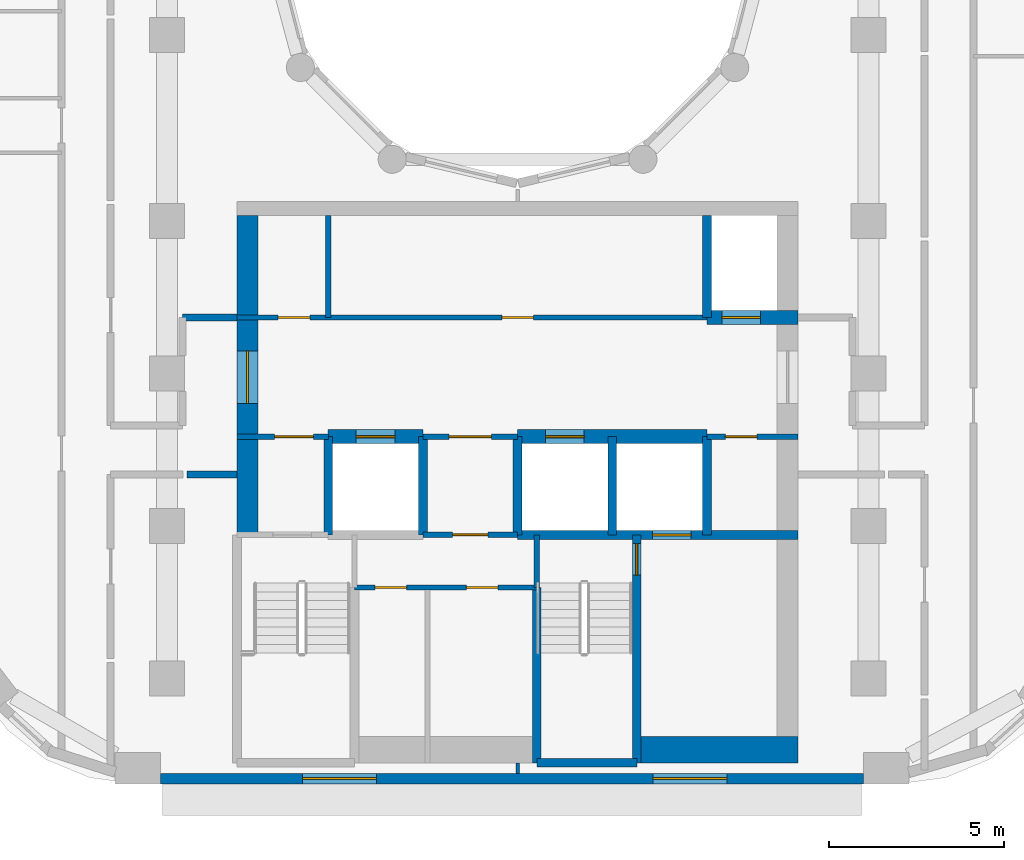
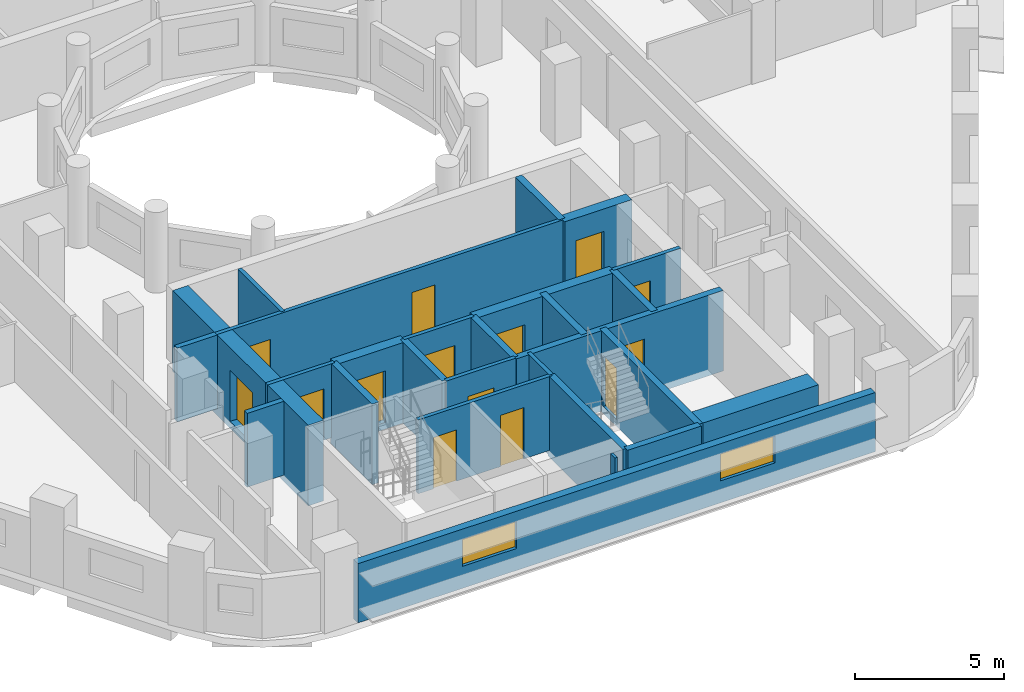
# One storey, part 3 of 13: 27 walls, 14 doors, 2 windows, 16 openings.
"""IFC4 building model written with IfcOpenShell, lengths in metres."""

from ifc_helpers import new_model, si_unit, direction, frame, frame_2d, origin, place, context, subcontext, project, spatial, rectangle, extrude, material, layer, layer_set, type_object, element, fill, save


model = new_model("IFC4")

# Units and contexts
model_context = context("Model", 3, precision=1e-05, world=origin(), true_north=direction((0.0, 1.0)))
body_context = subcontext(model_context, "Body", "Model", "MODEL_VIEW")
ifc_project = project(units=[si_unit("LENGTHUNIT", "METRE"), si_unit("AREAUNIT", "SQUARE_METRE"), si_unit("VOLUMEUNIT", "CUBIC_METRE"), si_unit("PLANEANGLEUNIT", "RADIAN"), si_unit("MASSUNIT", "GRAM", prefix="KILO")], contexts=[model_context])

# Site, building, storey
site_placement = place(None, origin())
site = spatial("IfcSite", under=ifc_project, at=site_placement, CompositionType="ELEMENT")
building_placement = place(site_placement, origin())
building = spatial("IfcBuilding", under=site, at=building_placement, Name="Nakaniwa Court", CompositionType="ELEMENT")
storey_placement = place(building_placement, frame((0.0, 0.0, 133.800048828125)))
storey = spatial("IfcBuildingStorey", under=building, at=storey_placement, Name="L34", CompositionType="ELEMENT", Elevation=133.800048828125)

# Walls
ifc_material_1 = material(Name="Acoustic double stud partition")
ifc_layer_1 = layer(ifc_material_1, 0.199951171875)
ifc_layer_set_1 = layer_set([ifc_layer_1], Name="Acoustic double stud partition")
wall_type_1 = type_object("IfcWallType", Name="Acoustic double stud partition 200", PredefinedType="PARTITIONING", material=ifc_layer_set_1)
wall_1_placement = place(storey_placement, frame((70.5771484375, 64.824951171875, 0.0), z_axis=(0.0, 0.0, 1.0), x_axis=(1.0, 0.0, 0.0)))
element("IfcWall", 1, at=wall_1_placement, inside=storey, type_object=wall_type_1, Name="Partition PW-074", PredefinedType="PARTITIONING", context=body_context, shape_type="SweptSolid", body=[
    extrude(rectangle(XDim=1.4228515625, YDim=0.199951171875, at=frame_2d((0.71142578125, 0.0))), origin(), (0.0, 0.0, 1.0), 3.02490234375),
])
wall_2_placement = place(storey_placement, frame((70.449951171875, 69.300048828125, 0.0), z_axis=(0.0, 0.0, 1.0), x_axis=(1.0, 0.0, 0.0)))
element("IfcWall", 2, at=wall_2_placement, inside=storey, type_object=wall_type_1, Name="Partition PW-078", PredefinedType="PARTITIONING", context=body_context, shape_type="SweptSolid", body=[
    extrude(rectangle(XDim=1.550048828125, YDim=0.199951171875, at=frame_2d((0.77490234375, 0.0))), origin(), (0.0, 0.0, 1.0), 3.02490234375),
])

# Wall, openings, windows
ifc_material_2 = material(Name="Charcoal ceramic cladding")
ifc_layer_2 = layer(ifc_material_2, 0.02, Name="Ceramic cladding")
ifc_material_3 = material(Name="Ventilated air cavity")
ifc_layer_3 = layer(ifc_material_3, 0.04, ventilated=True, Name="Ventilated cavity")
ifc_material_4 = material(Name="Mineral wool insulation")
ifc_layer_4 = layer(ifc_material_4, 0.1, Name="Insulation")
ifc_material_5 = material(Name="Cement bonded sheathing board")
ifc_layer_5 = layer(ifc_material_5, 0.012, Name="Sheathing")
ifc_material_6 = material(Name="Cold-formed galvanised stud frame with mineral wool infill")
ifc_layer_6 = layer(ifc_material_6, 0.1, Name="Stud frame")
ifc_material_7 = material(Name="Fire-rated gypsum plasterboard lining")
ifc_layer_7 = layer(ifc_material_7, 0.028, Name="Lining")
ifc_layer_set_2 = layer_set([ifc_layer_2, ifc_layer_3, ifc_layer_4, ifc_layer_5, ifc_layer_6, ifc_layer_7], Name="Charcoal ceramic faced external wall system")
wall_type_2 = type_object("IfcWallType", Name="Black ceramic faced external wall 300", PredefinedType="SOLIDWALL", material=ifc_layer_set_2)
wall_3_placement = place(storey_placement, frame((69.8212890625, 56.14990234375, 0.0), z_axis=(0.0, 0.0, 1.0), x_axis=(1.0, 0.0, 0.0)))
wall_3 = element("IfcWall", 3, at=wall_3_placement, inside=storey, type_object=wall_type_2, Name="L34 external wall 26", PredefinedType="SOLIDWALL", context=body_context, shape_type="SweptSolid", body=[
    extrude(rectangle(XDim=20.039794921875, YDim=0.300048828125, at=frame_2d((10.02001953125, 0.0))), origin(), (0.0, 0.0, 1.0), 2.425048828125),
])
opening_1_placement = place(wall_3_placement, frame((4.05126953125, 0.0, 0.89990234375)))
opening_1 = element("IfcOpeningElement", 4, at=opening_1_placement, cuts=wall_3, Name="Opening W7.27", PredefinedType="OPENING", context=body_context, shape_type="SweptSolid", body=[
    extrude(rectangle(XDim=2.10009765625, YDim=1.10009765625, at=frame_2d((1.050048828125, 0.550048828125))), frame((0.0, 0.159912109375, 0.0), z_axis=(0.0, -1.0, 0.0), x_axis=(1.0, 0.0, 0.0)), (0.0, 0.0, 1.0), 0.320068359375),
])
opening_2_placement = place(wall_3_placement, frame((14.047119140625, 0.0, 0.89990234375)))
opening_2 = element("IfcOpeningElement", 5, at=opening_2_placement, cuts=wall_3, Name="Opening W7.28", PredefinedType="OPENING", context=body_context, shape_type="SweptSolid", body=[
    extrude(rectangle(XDim=2.10009765625, YDim=1.10009765625, at=frame_2d((1.050048828125, 0.550048828125))), frame((0.0, 0.159912109375, 0.0), z_axis=(0.0, -1.0, 0.0), x_axis=(1.0, 0.0, 0.0)), (0.0, 0.0, 1.0), 0.320068359375),
])
ifc_material_8 = material(Name="Black anodised aluminium frame with dark low-E laminated double glazing", Category="aluminium")
window_type = type_object("IfcWindowType", Name="Dark glass window 2100x1100 sill 900", PartitioningType="SINGLE_PANEL", PredefinedType="WINDOW", material=ifc_material_8)
window_1_placement = place(opening_1_placement, origin())
window_1 = element("IfcWindow", 6, at=window_1_placement, inside=storey, type_object=window_type, Name="L34 habitable room window 26-0", OverallHeight=1.10009765625, OverallWidth=2.10009765625, PartitioningType="SINGLE_PANEL", PredefinedType="WINDOW", context=body_context, shape_type="SweptSolid", body=[
    extrude(rectangle(XDim=2.10009765625, YDim=1.10009765625, at=frame_2d((1.050048828125, 0.550048828125))), frame((0.0, 0.030029296875, 0.0), z_axis=(0.0, -1.0, 0.0), x_axis=(1.0, 0.0, 0.0)), (0.0, 0.0, 1.0), 0.06005859375),
])
fill(opening_1, window_1)
window_2_placement = place(opening_2_placement, origin())
window_2 = element("IfcWindow", 7, at=window_2_placement, inside=storey, type_object=window_type, Name="L34 habitable room window 26-1", OverallHeight=1.10009765625, OverallWidth=2.10009765625, PartitioningType="SINGLE_PANEL", PredefinedType="WINDOW", context=body_context, shape_type="SweptSolid", body=[
    extrude(rectangle(XDim=2.10009765625, YDim=1.10009765625, at=frame_2d((1.050048828125, 0.550048828125))), frame((0.0, 0.030029296875, 0.0), z_axis=(0.0, -1.0, 0.0), x_axis=(1.0, 0.0, 0.0)), (0.0, 0.0, 1.0), 0.06005859375),
])
fill(opening_2, window_2)

# Wall
ifc_material_9 = material(Name="Blockwork partition", Category="masonry")
ifc_layer_8 = layer(ifc_material_9, 0.14990234375)
ifc_layer_set_3 = layer_set([ifc_layer_8], Name="Blockwork partition")
wall_type_3 = type_object("IfcWallType", Name="Blockwork partition 150", PredefinedType="PARTITIONING", material=ifc_layer_set_3)
wall_4_placement = place(storey_placement, frame((74.60009765625, 69.300048828125, 0.0), z_axis=(0.0, 0.0, 1.0), x_axis=(0.0, 1.0, 0.0)))
element("IfcWall", 8, at=wall_4_placement, inside=storey, type_object=wall_type_3, Name="Partition PW-033", PredefinedType="PARTITIONING", context=body_context, shape_type="SweptSolid", body=[
    extrude(rectangle(XDim=2.89990234375, YDim=0.14990234375, at=frame_2d((1.449951171875, 0.0))), origin(), (0.0, 0.0, 1.0), 3.02490234375),
])

# Wall, openings, doors
wall_5_placement = place(storey_placement, frame((72.0, 69.300048828125, 0.0), z_axis=(0.0, 0.0, 1.0), x_axis=(1.0, 0.0, 0.0)))
wall_5 = element("IfcWall", 9, at=wall_5_placement, inside=storey, type_object=wall_type_3, Name="Partition PW-034", PredefinedType="PARTITIONING", context=body_context, shape_type="SweptSolid", body=[
    extrude(rectangle(XDim=13.39990234375, YDim=0.14990234375, at=frame_2d((6.699951171875, 0.0))), origin(), (0.0, 0.0, 1.0), 3.02490234375),
])
opening_3_placement = place(wall_5_placement, frame((1.175048828125, 0.0, 0.0)))
opening_3 = element("IfcOpeningElement", 10, at=opening_3_placement, cuts=wall_5, Name="Opening D-05-06", PredefinedType="OPENING", context=body_context, shape_type="SweptSolid", body=[
    extrude(rectangle(XDim=0.89990234375, YDim=2.10009765625, at=frame_2d((0.449951171875, 1.050048828125))), frame((0.0, 0.0849609375, 0.0), z_axis=(0.0, -1.0, 0.0), x_axis=(1.0, 0.0, 0.0)), (0.0, 0.0, 1.0), 0.169921875),
])
opening_4_placement = place(wall_5_placement, frame((7.550048828125, 0.0, 0.0)))
opening_4 = element("IfcOpeningElement", 11, at=opening_4_placement, cuts=wall_5, Name="Opening D-05-07", PredefinedType="OPENING", context=body_context, shape_type="SweptSolid", body=[
    extrude(rectangle(XDim=0.89990234375, YDim=2.10009765625, at=frame_2d((0.449951171875, 1.050048828125))), frame((0.0, 0.0849609375, 0.0), z_axis=(0.0, -1.0, 0.0), x_axis=(1.0, 0.0, 0.0)), (0.0, 0.0, 1.0), 0.169921875),
])
ifc_material_10 = material(Name="Fire rated steel door set", Category="steel")
door_type_1 = type_object("IfcDoorType", Name="Service room door 900", OperationType="NOTDEFINED", PredefinedType="DOOR", material=ifc_material_10)
door_1_placement = place(opening_3_placement, origin())
door_1 = element("IfcDoor", 12, at=door_1_placement, inside=storey, type_object=door_type_1, Name="Door D-05-06 L34-011", OperationType="SINGLE_SWING_RIGHT", OverallHeight=2.10009765625, OverallWidth=0.89990234375, PredefinedType="DOOR", context=body_context, shape_type="SweptSolid", body=[
    extrude(rectangle(XDim=0.89990234375, YDim=2.10009765625, at=frame_2d((0.449951171875, 1.050048828125))), frame((0.0, 0.02490234375, 0.0), z_axis=(0.0, -1.0, 0.0), x_axis=(1.0, 0.0, 0.0)), (0.0, 0.0, 1.0), 0.050048828125),
])
fill(opening_3, door_1)
door_2_placement = place(opening_4_placement, origin())
door_2 = element("IfcDoor", 13, at=door_2_placement, inside=storey, type_object=door_type_1, Name="Door D-05-07 L34-012", OperationType="SINGLE_SWING_LEFT", OverallHeight=2.10009765625, OverallWidth=0.89990234375, PredefinedType="DOOR", context=body_context, shape_type="SweptSolid", body=[
    extrude(rectangle(XDim=0.89990234375, YDim=2.10009765625, at=frame_2d((0.449951171875, 1.050048828125))), frame((0.0, 0.02490234375, 0.0), z_axis=(0.0, -1.0, 0.0), x_axis=(1.0, 0.0, 0.0)), (0.0, 0.0, 1.0), 0.050048828125),
])
fill(opening_4, door_2)

# Wall, opening, door
wall_6_placement = place(storey_placement, frame((74.60302734375, 65.89990234375, 0.0), z_axis=(0.0, 0.0, 1.0), x_axis=(-1.0, 0.0, 0.0)))
wall_6 = element("IfcWall", 14, at=wall_6_placement, inside=storey, type_object=wall_type_3, Name="Partition PW-040", PredefinedType="PARTITIONING", context=body_context, shape_type="SweptSolid", body=[
    extrude(rectangle(XDim=2.60302734375, YDim=0.14990234375, at=frame_2d((1.301513671875, 0.0))), origin(), (0.0, 0.0, 1.0), 3.02490234375),
])
opening_5_placement = place(wall_6_placement, frame((0.427978515625, 0.0, 0.0)))
opening_5 = element("IfcOpeningElement", 15, at=opening_5_placement, cuts=wall_6, Name="Opening D-08-02", PredefinedType="OPENING", context=body_context, shape_type="SweptSolid", body=[
    extrude(rectangle(XDim=1.10009765625, YDim=2.10009765625, at=frame_2d((0.550048828125, 1.050048828125))), frame((0.0, 0.0849609375, 0.0), z_axis=(0.0, -1.0, 0.0), x_axis=(1.0, 0.0, 0.0)), (0.0, 0.0, 1.0), 0.169921875),
])
door_type_2 = type_object("IfcDoorType", Name="Stair lobby door 1100", OperationType="NOTDEFINED", PredefinedType="DOOR", material=ifc_material_10)
door_3_placement = place(opening_5_placement, origin())
door_3 = element("IfcDoor", 16, at=door_3_placement, inside=storey, type_object=door_type_2, Name="Door D-08-02 L34-013", OperationType="SINGLE_SWING_RIGHT", OverallHeight=2.10009765625, OverallWidth=1.10009765625, PredefinedType="DOOR", context=body_context, shape_type="SweptSolid", body=[
    extrude(rectangle(XDim=1.10009765625, YDim=2.10009765625, at=frame_2d((0.550048828125, 1.050048828125))), frame((0.0, 0.02490234375, 0.0), z_axis=(0.0, -1.0, 0.0), x_axis=(1.0, 0.0, 0.0)), (0.0, 0.0, 1.0), 0.050048828125),
])
fill(opening_5, door_3)

wall_7_placement = place(storey_placement, frame((80.0029296875, 65.89990234375, 0.0), z_axis=(0.0, 0.0, 1.0), x_axis=(-1.0, 0.0, 0.0)))
wall_7 = element("IfcWall", 17, at=wall_7_placement, inside=storey, type_object=wall_type_3, Name="Partition PW-041", PredefinedType="PARTITIONING", context=body_context, shape_type="SweptSolid", body=[
    extrude(rectangle(XDim=2.705810546875, YDim=0.14990234375, at=frame_2d((1.35302734375, 0.0))), origin(), (0.0, 0.0, 1.0), 3.02490234375),
])
opening_6_placement = place(wall_7_placement, frame((0.7529296875, 0.0, 0.0)))
opening_6 = element("IfcOpeningElement", 18, at=opening_6_placement, cuts=wall_7, Name="Opening D-06-02", PredefinedType="OPENING", context=body_context, shape_type="SweptSolid", body=[
    extrude(rectangle(XDim=1.199951171875, YDim=2.10009765625, at=frame_2d((0.60009765625, 1.050048828125))), frame((0.0, 0.0849609375, 0.0), z_axis=(0.0, -1.0, 0.0), x_axis=(1.0, 0.0, 0.0)), (0.0, 0.0, 1.0), 0.169921875),
])
ifc_material_11 = material(Name="Fire rated steel double door set", Category="steel")
door_type_3 = type_object("IfcDoorType", Name="Service passage double door 1200", OperationType="NOTDEFINED", PredefinedType="DOOR", material=ifc_material_11)
door_4_placement = place(opening_6_placement, origin())
door_4 = element("IfcDoor", 19, at=door_4_placement, inside=storey, type_object=door_type_3, Name="Door D-06-02 L34-014", OperationType="DOUBLE_DOOR_SINGLE_SWING", OverallHeight=2.10009765625, OverallWidth=1.199951171875, PredefinedType="DOOR", context=body_context, shape_type="SweptSolid", body=[
    extrude(rectangle(XDim=1.199951171875, YDim=2.10009765625, at=frame_2d((0.60009765625, 1.050048828125))), frame((0.0, 0.02490234375, 0.0), z_axis=(0.0, -1.0, 0.0), x_axis=(1.0, 0.0, 0.0)), (0.0, 0.0, 1.0), 0.050048828125),
])
fill(opening_6, door_4)

wall_8_placement = place(storey_placement, frame((88.0, 65.89990234375, 0.0), z_axis=(0.0, 0.0, 1.0), x_axis=(-1.0, 0.0, 0.0)))
wall_8 = element("IfcWall", 20, at=wall_8_placement, inside=storey, type_object=wall_type_3, Name="Partition PW-042", PredefinedType="PARTITIONING", context=body_context, shape_type="SweptSolid", body=[
    extrude(rectangle(XDim=2.60302734375, YDim=0.14990234375, at=frame_2d((1.301513671875, 0.0))), origin(), (0.0, 0.0, 1.0), 3.02490234375),
])
opening_7_placement = place(wall_8_placement, frame((1.175048828125, 0.0, 0.0)))
opening_7 = element("IfcOpeningElement", 21, at=opening_7_placement, cuts=wall_8, Name="Opening D-05-08", PredefinedType="OPENING", context=body_context, shape_type="SweptSolid", body=[
    extrude(rectangle(XDim=0.89990234375, YDim=2.10009765625, at=frame_2d((0.449951171875, 1.050048828125))), frame((0.0, 0.0849609375, 0.0), z_axis=(0.0, -1.0, 0.0), x_axis=(1.0, 0.0, 0.0)), (0.0, 0.0, 1.0), 0.169921875),
])
door_5_placement = place(opening_7_placement, origin())
door_5 = element("IfcDoor", 22, at=door_5_placement, inside=storey, type_object=door_type_1, Name="Door D-05-08 L34-015", OperationType="SINGLE_SWING_RIGHT", OverallHeight=2.10009765625, OverallWidth=0.89990234375, PredefinedType="DOOR", context=body_context, shape_type="SweptSolid", body=[
    extrude(rectangle(XDim=0.89990234375, YDim=2.10009765625, at=frame_2d((0.449951171875, 1.050048828125))), frame((0.0, 0.02490234375, 0.0), z_axis=(0.0, -1.0, 0.0), x_axis=(1.0, 0.0, 0.0)), (0.0, 0.0, 1.0), 0.050048828125),
])
fill(opening_7, door_5)

wall_9_placement = place(storey_placement, frame((80.0, 63.10009765625, 0.0), z_axis=(0.0, 0.0, 1.0), x_axis=(-1.0, 0.0, 0.0)))
wall_9 = element("IfcWall", 23, at=wall_9_placement, inside=storey, type_object=wall_type_3, Name="Partition PW-051", PredefinedType="PARTITIONING", context=body_context, shape_type="SweptSolid", body=[
    extrude(rectangle(XDim=2.699951171875, YDim=0.14990234375, at=frame_2d((1.35009765625, 0.0))), origin(), (0.0, 0.0, 1.0), 3.02490234375),
])
opening_8_placement = place(wall_9_placement, frame((0.85009765625, 0.0, 0.0)))
opening_8 = element("IfcOpeningElement", 24, at=opening_8_placement, cuts=wall_9, Name="Opening D-23-02", PredefinedType="OPENING", context=body_context, shape_type="SweptSolid", body=[
    extrude(rectangle(XDim=1.0, YDim=2.10009765625, at=frame_2d((0.5, 1.050048828125))), frame((0.0, 0.0849609375, 0.0), z_axis=(0.0, -1.0, 0.0), x_axis=(1.0, 0.0, 0.0)), (0.0, 0.0, 1.0), 0.169921875),
])
door_type_4 = type_object("IfcDoorType", Name="Service room door 1000", OperationType="NOTDEFINED", PredefinedType="DOOR", material=ifc_material_10)
door_6_placement = place(opening_8_placement, origin())
door_6 = element("IfcDoor", 25, at=door_6_placement, inside=storey, type_object=door_type_4, Name="Door D-23-02 L34-016", OperationType="SINGLE_SWING_LEFT", OverallHeight=2.10009765625, OverallWidth=1.0, PredefinedType="DOOR", context=body_context, shape_type="SweptSolid", body=[
    extrude(rectangle(XDim=1.0, YDim=2.10009765625, at=frame_2d((0.5, 1.050048828125))), frame((0.0, 0.02490234375, 0.0), z_axis=(0.0, -1.0, 0.0), x_axis=(1.0, 0.0, 0.0)), (0.0, 0.0, 1.0), 0.050048828125),
])
fill(opening_8, door_6)

# Wall, openings, doors
wall_10_placement = place(storey_placement, frame((80.550048828125, 61.60009765625, 0.0), z_axis=(0.0, 0.0, 1.0), x_axis=(-1.0, 0.0, 0.0)))
wall_10 = element("IfcWall", 26, at=wall_10_placement, inside=storey, type_object=wall_type_3, Name="Partition PW-063", PredefinedType="PARTITIONING", context=body_context, shape_type="SweptSolid", body=[
    extrude(rectangle(XDim=5.199951171875, YDim=0.14990234375, at=frame_2d((2.60009765625, 0.0))), origin(), (0.0, 0.0, 1.0), 3.02490234375),
])
opening_9_placement = place(wall_10_placement, frame((3.7099609375, 0.0, 0.0)))
opening_9 = element("IfcOpeningElement", 27, at=opening_9_placement, cuts=wall_10, Name="Opening D-05-09", PredefinedType="OPENING", context=body_context, shape_type="SweptSolid", body=[
    extrude(rectangle(XDim=0.89990234375, YDim=2.10009765625, at=frame_2d((0.449951171875, 1.050048828125))), frame((0.0, 0.0849609375, 0.0), z_axis=(0.0, -1.0, 0.0), x_axis=(1.0, 0.0, 0.0)), (0.0, 0.0, 1.0), 0.169921875),
])
opening_10_placement = place(wall_10_placement, frame((1.110107421875, 0.0, 0.0)))
opening_10 = element("IfcOpeningElement", 28, at=opening_10_placement, cuts=wall_10, Name="Opening D-05-10", PredefinedType="OPENING", context=body_context, shape_type="SweptSolid", body=[
    extrude(rectangle(XDim=0.89990234375, YDim=2.10009765625, at=frame_2d((0.449951171875, 1.050048828125))), frame((0.0, 0.0849609375, 0.0), z_axis=(0.0, -1.0, 0.0), x_axis=(1.0, 0.0, 0.0)), (0.0, 0.0, 1.0), 0.169921875),
])
door_7_placement = place(opening_9_placement, origin())
door_7 = element("IfcDoor", 29, at=door_7_placement, inside=storey, type_object=door_type_1, Name="Door D-05-09 L34-017", OperationType="SINGLE_SWING_RIGHT", OverallHeight=2.10009765625, OverallWidth=0.89990234375, PredefinedType="DOOR", context=body_context, shape_type="SweptSolid", body=[
    extrude(rectangle(XDim=0.89990234375, YDim=2.10009765625, at=frame_2d((0.449951171875, 1.050048828125))), frame((0.0, 0.02490234375, 0.0), z_axis=(0.0, -1.0, 0.0), x_axis=(1.0, 0.0, 0.0)), (0.0, 0.0, 1.0), 0.050048828125),
])
fill(opening_9, door_7)
door_8_placement = place(opening_10_placement, origin())
door_8 = element("IfcDoor", 30, at=door_8_placement, inside=storey, type_object=door_type_1, Name="Door D-05-10 L34-018", OperationType="SINGLE_SWING_LEFT", OverallHeight=2.10009765625, OverallWidth=0.89990234375, PredefinedType="DOOR", context=body_context, shape_type="SweptSolid", body=[
    extrude(rectangle(XDim=0.89990234375, YDim=2.10009765625, at=frame_2d((0.449951171875, 1.050048828125))), frame((0.0, 0.02490234375, 0.0), z_axis=(0.0, -1.0, 0.0), x_axis=(1.0, 0.0, 0.0)), (0.0, 0.0, 1.0), 0.050048828125),
])
fill(opening_10, door_8)

# Wall, opening, door
ifc_material_12 = material(Name="Concrete C80/100", Category="concrete")
ifc_layer_9 = layer(ifc_material_12, 0.60009765625)
ifc_layer_set_4 = layer_set([ifc_layer_9], Name="Concrete C80/100")
wall_type_4 = type_object("IfcWallType", Name="Concrete core side wall 600 C80", PredefinedType="SHEAR", material=ifc_layer_set_4)
wall_11_placement = place(storey_placement, frame((72.300048828125, 63.10009765625, -0.275146484375), z_axis=(0.0, 0.0, 1.0), x_axis=(0.0, 1.0, 0.0)))
wall_11 = element("IfcWall", 31, at=wall_11_placement, inside=storey, type_object=wall_type_4, Name="Core wall SW-35", PredefinedType="SHEAR", context=body_context, shape_type="SweptSolid", body=[
    extrude(rectangle(XDim=9.099853515625, YDim=0.60009765625, at=frame_2d((4.5498046875, 0.0))), origin(), (0.0, 0.0, 1.0), 3.300048828125),
])
opening_11_placement = place(wall_11_placement, frame((3.748046875, 0.0, 0.27490234375)))
opening_11 = element("IfcOpeningElement", 32, at=opening_11_placement, cuts=wall_11, Name="Opening D-07-04", PredefinedType="OPENING", context=body_context, shape_type="SweptSolid", body=[
    extrude(rectangle(XDim=1.5, YDim=2.10009765625, at=frame_2d((0.75, 1.050048828125))), frame((0.0, 0.31005859375, 0.0), z_axis=(0.0, -1.0, 0.0), x_axis=(1.0, 0.0, 0.0)), (0.0, 0.0, 1.0), 0.6201171875),
])
ifc_material_13 = material(Name="Glazed fire rated steel double door set", Category="steel")
door_type_5 = type_object("IfcDoorType", Name="Lobby double door 1500", OperationType="NOTDEFINED", PredefinedType="DOOR", material=ifc_material_13)
door_9_placement = place(opening_11_placement, origin())
door_9 = element("IfcDoor", 33, at=door_9_placement, inside=storey, type_object=door_type_5, Name="Door D-07-04 L34-046", OperationType="DOUBLE_DOOR_SINGLE_SWING", OverallHeight=2.10009765625, OverallWidth=1.5, PredefinedType="DOOR", context=body_context, shape_type="SweptSolid", body=[
    extrude(rectangle(XDim=1.5, YDim=2.10009765625, at=frame_2d((0.75, 1.050048828125))), frame((0.0, 0.02490234375, 0.0), z_axis=(0.0, -1.0, 0.0), x_axis=(1.0, 0.0, 0.0)), (0.0, 0.0, 1.0), 0.050048828125),
])
fill(opening_11, door_9)

ifc_layer_10 = layer(ifc_material_12, 0.39990234375)
ifc_layer_set_5 = layer_set([ifc_layer_10], Name="Concrete C80/100")
wall_type_5 = type_object("IfcWallType", Name="Concrete core spine wall 400 C80", PredefinedType="SHEAR", material=ifc_layer_set_5)
wall_12_placement = place(storey_placement, frame((85.39990234375, 69.300048828125, -0.275146484375), z_axis=(0.0, 0.0, 1.0), x_axis=(1.0, 0.0, 0.0)))
wall_12 = element("IfcWall", 34, at=wall_12_placement, inside=storey, type_object=wall_type_5, Name="Core wall SW-38", PredefinedType="SHEAR", context=body_context, shape_type="SweptSolid", body=[
    extrude(rectangle(XDim=2.60009765625, YDim=0.39990234375, at=frame_2d((1.300048828125, 0.0))), origin(), (0.0, 0.0, 1.0), 3.300048828125),
])
opening_12_placement = place(wall_12_placement, frame((0.425048828125, 0.0, 0.27490234375)))
opening_12 = element("IfcOpeningElement", 35, at=opening_12_placement, cuts=wall_12, Name="Opening LD05", PredefinedType="OPENING", context=body_context, shape_type="SweptSolid", body=[
    extrude(rectangle(XDim=1.10009765625, YDim=2.10009765625, at=frame_2d((0.550048828125, 1.050048828125))), frame((0.0, 0.2099609375, 0.0), z_axis=(0.0, -1.0, 0.0), x_axis=(1.0, 0.0, 0.0)), (0.0, 0.0, 1.0), 0.419921875),
])
ifc_material_14 = material(Name="Stainless steel sliding lift landing door", Category="steel")
door_type_6 = type_object("IfcDoorType", Name="Lift landing door 1100", OperationType="NOTDEFINED", PredefinedType="DOOR", material=ifc_material_14)
door_10_placement = place(opening_12_placement, origin())
door_10 = element("IfcDoor", 36, at=door_10_placement, inside=storey, type_object=door_type_6, Name="Lift landing door LD05 L34-005", OperationType="SLIDING_TO_LEFT", OverallHeight=2.10009765625, OverallWidth=1.10009765625, PredefinedType="DOOR", context=body_context, shape_type="SweptSolid", body=[
    extrude(rectangle(XDim=1.10009765625, YDim=2.10009765625, at=frame_2d((0.550048828125, 1.050048828125))), frame((0.0, 0.02490234375, 0.0), z_axis=(0.0, -1.0, 0.0), x_axis=(1.0, 0.0, 0.0)), (0.0, 0.0, 1.0), 0.050048828125),
])
fill(opening_12, door_10)

wall_13_placement = place(storey_placement, frame((74.596923828125, 65.89990234375, -0.275146484375), z_axis=(0.0, 0.0, 1.0), x_axis=(1.0, 0.0, 0.0)))
wall_13 = element("IfcWall", 37, at=wall_13_placement, inside=storey, type_object=wall_type_5, Name="Core wall SW-43", PredefinedType="SHEAR", context=body_context, shape_type="SweptSolid", body=[
    extrude(rectangle(XDim=2.7060546875, YDim=0.39990234375, at=frame_2d((1.35302734375, 0.0))), origin(), (0.0, 0.0, 1.0), 3.300048828125),
])
opening_13_placement = place(wall_13_placement, frame((0.802978515625, 0.0, 0.27490234375)))
opening_13 = element("IfcOpeningElement", 38, at=opening_13_placement, cuts=wall_13, Name="Opening LD06", PredefinedType="OPENING", context=body_context, shape_type="SweptSolid", body=[
    extrude(rectangle(XDim=1.10009765625, YDim=2.10009765625, at=frame_2d((0.550048828125, 1.050048828125))), frame((0.0, 0.2099609375, 0.0), z_axis=(0.0, -1.0, 0.0), x_axis=(1.0, 0.0, 0.0)), (0.0, 0.0, 1.0), 0.419921875),
])
door_11_placement = place(opening_13_placement, origin())
door_11 = element("IfcDoor", 39, at=door_11_placement, inside=storey, type_object=door_type_6, Name="Lift landing door LD06 L34-006", OperationType="SLIDING_TO_LEFT", OverallHeight=2.10009765625, OverallWidth=1.10009765625, PredefinedType="DOOR", context=body_context, shape_type="SweptSolid", body=[
    extrude(rectangle(XDim=1.10009765625, YDim=2.10009765625, at=frame_2d((0.550048828125, 1.050048828125))), frame((0.0, 0.02490234375, 0.0), z_axis=(0.0, -1.0, 0.0), x_axis=(1.0, 0.0, 0.0)), (0.0, 0.0, 1.0), 0.050048828125),
])
fill(opening_13, door_11)

wall_14_placement = place(storey_placement, frame((79.9970703125, 65.89990234375, -0.275146484375), z_axis=(0.0, 0.0, 1.0), x_axis=(1.0, 0.0, 0.0)))
wall_14 = element("IfcWall", 40, at=wall_14_placement, inside=storey, type_object=wall_type_5, Name="Core wall SW-44", PredefinedType="SHEAR", context=body_context, shape_type="SweptSolid", body=[
    extrude(rectangle(XDim=5.406005859375, YDim=0.39990234375, at=frame_2d((2.703125, 0.0))), origin(), (0.0, 0.0, 1.0), 3.300048828125),
])
opening_14_placement = place(wall_14_placement, frame((0.802978515625, 0.0, 0.27490234375)))
opening_14 = element("IfcOpeningElement", 41, at=opening_14_placement, cuts=wall_14, Name="Opening LD07", PredefinedType="OPENING", context=body_context, shape_type="SweptSolid", body=[
    extrude(rectangle(XDim=1.10009765625, YDim=2.10009765625, at=frame_2d((0.550048828125, 1.050048828125))), frame((0.0, 0.2099609375, 0.0), z_axis=(0.0, -1.0, 0.0), x_axis=(1.0, 0.0, 0.0)), (0.0, 0.0, 1.0), 0.419921875),
])
door_12_placement = place(opening_14_placement, origin())
door_12 = element("IfcDoor", 42, at=door_12_placement, inside=storey, type_object=door_type_6, Name="Lift landing door LD07 L34-007", OperationType="SLIDING_TO_LEFT", OverallHeight=2.10009765625, OverallWidth=1.10009765625, PredefinedType="DOOR", context=body_context, shape_type="SweptSolid", body=[
    extrude(rectangle(XDim=1.10009765625, YDim=2.10009765625, at=frame_2d((0.550048828125, 1.050048828125))), frame((0.0, 0.02490234375, 0.0), z_axis=(0.0, -1.0, 0.0), x_axis=(1.0, 0.0, 0.0)), (0.0, 0.0, 1.0), 0.050048828125),
])
fill(opening_14, door_12)

# Walls
ifc_layer_11 = layer(ifc_material_12, 0.14990234375)
ifc_layer_set_6 = layer_set([ifc_layer_11], Name="Concrete C80/100")
wall_type_6 = type_object("IfcWallType", Name="Concrete core wall 150 C80", PredefinedType="SHEAR", material=ifc_layer_set_6)
wall_15_placement = place(storey_placement, frame((80.550048828125, 61.596923828125, -0.275146484375), z_axis=(0.0, 0.0, 1.0), x_axis=(0.0, 1.0, 0.0)))
element("IfcWall", 43, at=wall_15_placement, inside=storey, type_object=wall_type_6, Name="Core wall SW-59", PredefinedType="SHEAR", context=body_context, shape_type="SweptSolid", body=[
    extrude(rectangle(XDim=1.503173828125, YDim=0.14990234375, at=frame_2d((0.75146484375, 0.0))), origin(), (0.0, 0.0, 1.0), 3.300048828125),
])
ifc_layer_12 = layer(ifc_material_12, 0.25)
ifc_layer_set_7 = layer_set([ifc_layer_12], Name="Concrete C80/100")
wall_type_7 = type_object("IfcWallType", Name="Concrete core wall 250 C80", PredefinedType="SHEAR", material=ifc_layer_set_7)
wall_16_placement = place(storey_placement, frame((80.550048828125, 56.60009765625, -0.275146484375), z_axis=(0.0, 0.0, 1.0), x_axis=(1.0, 0.0, 0.0)))
element("IfcWall", 44, at=wall_16_placement, inside=storey, type_object=wall_type_7, Name="Core wall SW-57", PredefinedType="SHEAR", context=body_context, shape_type="SweptSolid", body=[
    extrude(rectangle(XDim=2.849853515625, YDim=0.25, at=frame_2d((1.4248046875, 0.0))), origin(), (0.0, 0.0, 1.0), 3.300048828125),
])
ifc_layer_13 = layer(ifc_material_12, 0.75)
ifc_layer_set_8 = layer_set([ifc_layer_13], Name="Concrete C80/100")
wall_type_8 = type_object("IfcWallType", Name="Concrete core wall 750 C80", PredefinedType="SHEAR", material=ifc_layer_set_8)
wall_17_placement = place(storey_placement, frame((83.39990234375, 56.97509765625, -0.275146484375), z_axis=(0.0, 0.0, 1.0), x_axis=(1.0, 0.0, 0.0)))
element("IfcWall", 45, at=wall_17_placement, inside=storey, type_object=wall_type_8, Name="Core wall SW-62", PredefinedType="SHEAR", context=body_context, shape_type="SweptSolid", body=[
    extrude(rectangle(XDim=4.60009765625, YDim=0.75, at=frame_2d((2.300048828125, 0.0))), origin(), (0.0, 0.0, 1.0), 3.300048828125),
])
ifc_layer_14 = layer(ifc_material_12, 0.25)
ifc_layer_set_9 = layer_set([ifc_layer_14], Name="Concrete C80/100")
wall_type_9 = type_object("IfcWallType", Name="Concrete shaft wall 250 C80", PredefinedType="SHEAR", material=ifc_layer_set_9)
wall_18_placement = place(storey_placement, frame((85.39990234375, 63.10009765625, -0.275146484375), z_axis=(0.0, 0.0, 1.0), x_axis=(0.0, 1.0, 0.0)))
element("IfcWall", 46, at=wall_18_placement, inside=storey, type_object=wall_type_9, Name="Core wall SW-36", PredefinedType="SHEAR", context=body_context, shape_type="SweptSolid", body=[
    extrude(rectangle(XDim=2.7998046875, YDim=0.25, at=frame_2d((1.39990234375, 0.0))), origin(), (0.0, 0.0, 1.0), 3.300048828125),
])
wall_19_placement = place(storey_placement, frame((85.39990234375, 69.300048828125, -0.275146484375), z_axis=(0.0, 0.0, 1.0), x_axis=(0.0, 1.0, 0.0)))
element("IfcWall", 47, at=wall_19_placement, inside=storey, type_object=wall_type_9, Name="Core wall SW-37", PredefinedType="SHEAR", context=body_context, shape_type="SweptSolid", body=[
    extrude(rectangle(XDim=2.89990234375, YDim=0.25, at=frame_2d((1.449951171875, 0.0))), origin(), (0.0, 0.0, 1.0), 3.300048828125),
])
for number, where, z_axis, x_axis, name in (
    (48, (74.60009765625, 63.10009765625, -0.275146484375), (0.0, 0.0, 1.0), (0.0, 1.0, 0.0), "Core wall SW-45"),
    (49, (77.300048828125, 63.10009765625, -0.275146484375), (0.0, 0.0, 1.0), (0.0, 1.0, 0.0), "Core wall SW-47"),
):
    element("IfcWall", number, at=place(storey_placement, frame(where, z_axis=z_axis, x_axis=x_axis)), inside=storey, type_object=wall_type_9, Name=name, PredefinedType="SHEAR", context=body_context, shape_type="SweptSolid", body=[
        extrude(rectangle(XDim=2.7998046875, YDim=0.25, at=frame_2d((1.39990234375, 0.0))), origin(), (0.0, 0.0, 1.0), 3.300048828125),
    ])

# Wall, opening, door
wall_20_placement = place(storey_placement, frame((80.0, 63.10009765625, -0.275146484375), z_axis=(0.0, 0.0, 1.0), x_axis=(1.0, 0.0, 0.0)))
wall_20 = element("IfcWall", 50, at=wall_20_placement, inside=storey, type_object=wall_type_9, Name="Core wall SW-49", PredefinedType="SHEAR", context=body_context, shape_type="SweptSolid", body=[
    extrude(rectangle(XDim=8.0, YDim=0.25, at=frame_2d((4.0, 0.0))), origin(), (0.0, 0.0, 1.0), 3.300048828125),
])
opening_15_placement = place(wall_20_placement, frame((3.84912109375, 0.0, 0.27490234375)))
opening_15 = element("IfcOpeningElement", 51, at=opening_15_placement, cuts=wall_20, Name="Opening LD08", PredefinedType="OPENING", context=body_context, shape_type="SweptSolid", body=[
    extrude(rectangle(XDim=1.10009765625, YDim=2.10009765625, at=frame_2d((0.550048828125, 1.050048828125))), frame((0.0, 0.135009765625, 0.0), z_axis=(0.0, -1.0, 0.0), x_axis=(1.0, 0.0, 0.0)), (0.0, 0.0, 1.0), 0.27001953125),
])
door_13_placement = place(opening_15_placement, origin())
door_13 = element("IfcDoor", 52, at=door_13_placement, inside=storey, type_object=door_type_6, Name="Lift landing door LD08 L34-008", OperationType="SLIDING_TO_LEFT", OverallHeight=2.10009765625, OverallWidth=1.10009765625, PredefinedType="DOOR", context=body_context, shape_type="SweptSolid", body=[
    extrude(rectangle(XDim=1.10009765625, YDim=2.10009765625, at=frame_2d((0.550048828125, 1.050048828125))), frame((0.0, 0.02490234375, 0.0), z_axis=(0.0, -1.0, 0.0), x_axis=(1.0, 0.0, 0.0)), (0.0, 0.0, 1.0), 0.050048828125),
])
fill(opening_15, door_13)

# Walls
for number, where, z_axis, x_axis, name in (
    (53, (80.0, 63.10009765625, -0.275146484375), (0.0, 0.0, 1.0), (0.0, 1.0, 0.0), "Core wall SW-50"),
    (54, (82.699951171875, 63.10009765625, -0.275146484375), (0.0, 0.0, 1.0), (0.0, 1.0, 0.0), "Core wall SW-52"),
):
    element("IfcWall", number, at=place(storey_placement, frame(where, z_axis=z_axis, x_axis=x_axis)), inside=storey, type_object=wall_type_9, Name=name, PredefinedType="SHEAR", context=body_context, shape_type="SweptSolid", body=[
        extrude(rectangle(XDim=2.7998046875, YDim=0.25, at=frame_2d((1.39990234375, 0.0))), origin(), (0.0, 0.0, 1.0), 3.300048828125),
    ])

# Wall, opening, door
wall_21_placement = place(storey_placement, frame((83.39990234375, 63.10009765625, -0.275146484375), z_axis=(0.0, 0.0, 1.0), x_axis=(0.0, -1.0, 0.0)))
wall_21 = element("IfcWall", 55, at=wall_21_placement, inside=storey, type_object=wall_type_9, Name="Core wall SW-58", PredefinedType="SHEAR", context=body_context, shape_type="SweptSolid", body=[
    extrude(rectangle(XDim=6.5, YDim=0.25, at=frame_2d((3.25, 0.0))), origin(), (0.0, 0.0, 1.0), 3.300048828125),
])
opening_16_placement = place(wall_21_placement, frame((0.25, 0.0, 0.27490234375)))
opening_16 = element("IfcOpeningElement", 56, at=opening_16_placement, cuts=wall_21, Name="Opening D-11-02", PredefinedType="OPENING", context=body_context, shape_type="SweptSolid", body=[
    extrude(rectangle(XDim=0.89990234375, YDim=2.10009765625, at=frame_2d((0.449951171875, 1.050048828125))), frame((0.0, 0.135009765625, 0.0), z_axis=(0.0, -1.0, 0.0), x_axis=(1.0, 0.0, 0.0)), (0.0, 0.0, 1.0), 0.27001953125),
])
door_type_7 = type_object("IfcDoorType", Name="Stair door 900", OperationType="NOTDEFINED", PredefinedType="DOOR", material=ifc_material_10)
door_14_placement = place(opening_16_placement, origin())
door_14 = element("IfcDoor", 57, at=door_14_placement, inside=storey, type_object=door_type_7, Name="Door D-11-02 L34-020", OperationType="SINGLE_SWING_RIGHT", OverallHeight=2.10009765625, OverallWidth=0.89990234375, PredefinedType="DOOR", context=body_context, shape_type="SweptSolid", body=[
    extrude(rectangle(XDim=0.89990234375, YDim=2.10009765625, at=frame_2d((0.449951171875, 1.050048828125))), frame((0.0, 0.02490234375, 0.0), z_axis=(0.0, -1.0, 0.0), x_axis=(1.0, 0.0, 0.0)), (0.0, 0.0, 1.0), 0.050048828125),
])
fill(opening_16, door_14)

# Walls
wall_22_placement = place(storey_placement, frame((80.550048828125, 56.60009765625, -0.275146484375), z_axis=(0.0, 0.0, 1.0), x_axis=(0.0, 1.0, 0.0)))
element("IfcWall", 58, at=wall_22_placement, inside=storey, type_object=wall_type_9, Name="Core wall SW-60", PredefinedType="SHEAR", context=body_context, shape_type="SweptSolid", body=[
    extrude(rectangle(XDim=5.0029296875, YDim=0.25, at=frame_2d((2.50146484375, 0.0))), origin(), (0.0, 0.0, 1.0), 3.300048828125),
])
ifc_material_15 = material(Name="Single stud plasterboard partition")
ifc_layer_15 = layer(ifc_material_15, 0.10009765625)
ifc_layer_set_10 = layer_set([ifc_layer_15], Name="Single stud plasterboard partition")
wall_type_10 = type_object("IfcWallType", Name="Single stud plasterboard partition 100", PredefinedType="PARTITIONING", material=ifc_layer_set_10)
wall_23_placement = place(storey_placement, frame((80.0, 56.300048828125, 0.0), z_axis=(0.0, 0.0, 1.0), x_axis=(0.0, 1.0, 0.0)))
element("IfcWall", 59, at=wall_23_placement, inside=storey, type_object=wall_type_10, Name="Partition PW-108", PredefinedType="PARTITIONING", context=body_context, shape_type="SweptSolid", body=[
    extrude(rectangle(XDim=0.300048828125, YDim=0.10009765625, at=frame_2d((0.14990234375, 0.0))), origin(), (0.0, 0.0, 1.0), 3.02490234375),
])

save(model, "model.ifc")
